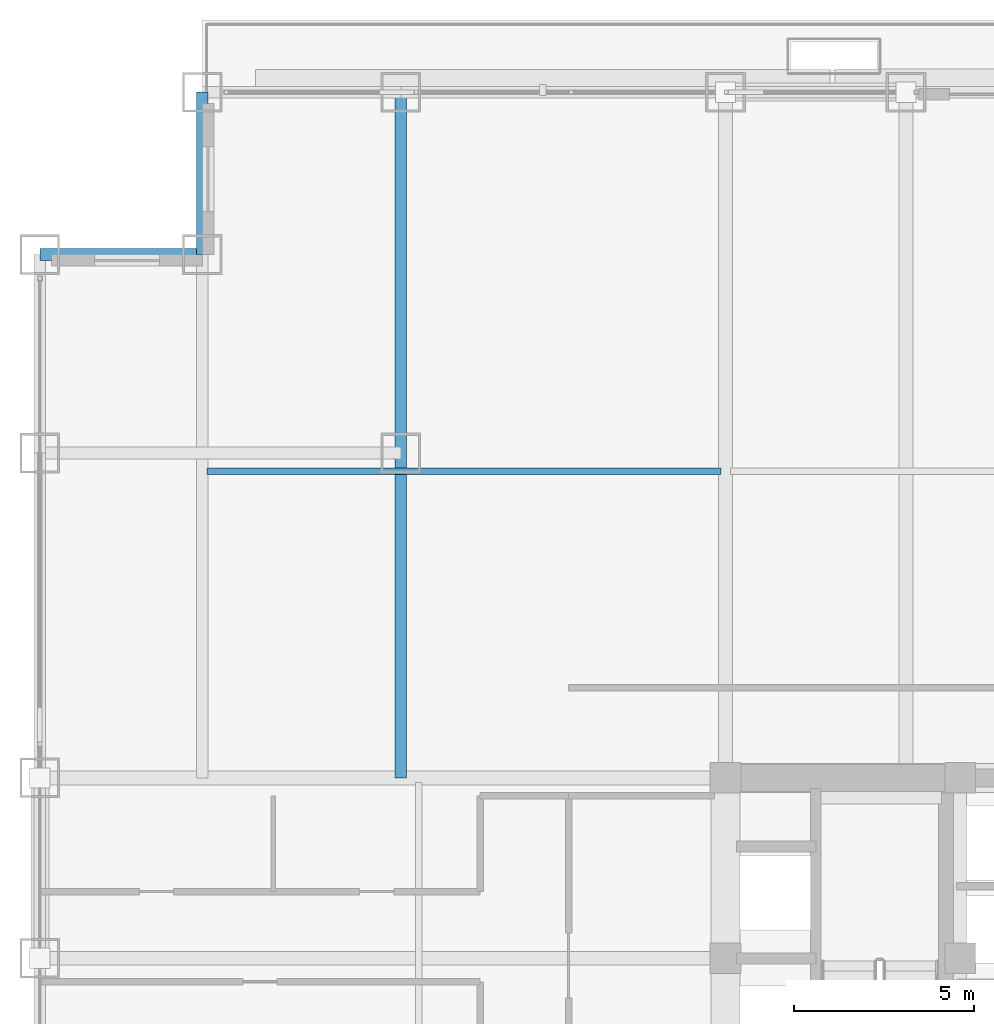
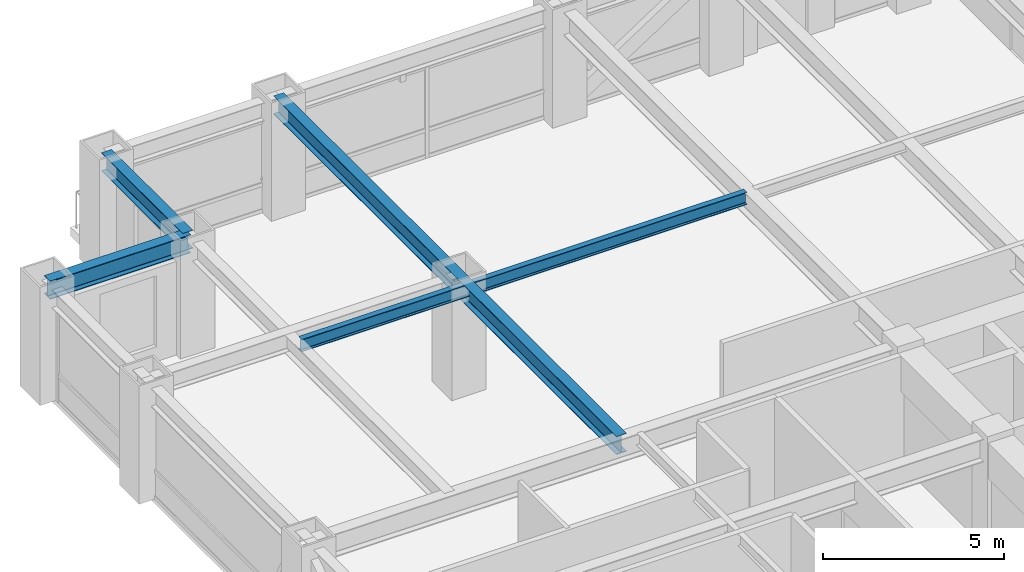
# One storey, part 16 of 35: 4 beams.
"""IFC4 building model written with IfcOpenShell, lengths in metres."""

from ifc_helpers import new_model, si_unit, direction, frame, origin, origin_2d, place, context, subcontext, project, spatial, i_section, extrude, source, transform, mapped, material, material_profile, profile_set, type_object, element, save


model = new_model("IFC4")

# Units and contexts
model_context = context("Model", 3, precision=1e-05, world=origin(), true_north=direction((0.0, 1.0)))
body_context = subcontext(model_context, "Body", "Model", "MODEL_VIEW")
ifc_project = project(units=[si_unit("LENGTHUNIT", "METRE"), si_unit("AREAUNIT", "SQUARE_METRE"), si_unit("VOLUMEUNIT", "CUBIC_METRE"), si_unit("PLANEANGLEUNIT", "RADIAN"), si_unit("MASSUNIT", "GRAM", prefix="KILO")], contexts=[model_context])

# Site, building, storey
site_placement = place(None, origin())
site = spatial("IfcSite", under=ifc_project, at=site_placement, CompositionType="ELEMENT")
building_placement = place(site_placement, origin())
building = spatial("IfcBuilding", under=site, at=building_placement, Name="Khorayat Bourse Tower", CompositionType="ELEMENT")
storey_placement = place(building_placement, frame((0.0, 0.0, 155.10009765625)))
storey = spatial("IfcBuildingStorey", under=building, at=storey_placement, Name="L35", CompositionType="ELEMENT", Elevation=155.10009765625)

# Beams
ifc_material = material(Name="Steel ASTM A992 Grade 50", Category="steel")
ifc_material_profile_1 = material_profile(ifc_material, i_section(OverallWidth=0.324951171875, OverallDepth=0.615966796875, WebThickness=0.013916015625, FlangeThickness=0.021484375, FilletRadius=0.01611328125, at=origin_2d()), Name="W610X174")
ifc_profile_set_1 = profile_set([ifc_material_profile_1], Name="Steel ASTM A992 Grade 50")
beam_type_1 = type_object("IfcBeamType", Name="BM-GIRD-610", PredefinedType="BEAM", material=ifc_profile_set_1)
shared_shape_1 = source(origin(), body_context, "Body", "SweptSolid", [
    extrude(i_section(OverallWidth=0.324951171875, OverallDepth=0.615966796875, WebThickness=0.013916015625, FlangeThickness=0.021484375, FilletRadius=0.01611328125, at=origin_2d()), origin(), (0.0, 0.0, 1.0), 19.0),
])
beam_1_placement = place(storey_placement, frame((-20.0, 11.0, 3.471923828125), z_axis=(0.0, 1.0, 0.0), x_axis=(-1.0, 0.0, 0.0)))
element("IfcBeam", 1, at=beam_1_placement, inside=storey, type_object=beam_type_1, Name="L35 BM-GIRD-610 BM-L35-CNRY-085", PredefinedType="BEAM", context=body_context, shape_type="MappedRepresentation", body=[
    mapped(shared_shape_1, transform((0.0, 0.0, 0.0), scale=1.0)),
])
ifc_material_profile_2 = material_profile(ifc_material, i_section(OverallWidth=0.180908203125, OverallDepth=0.4169921875, WebThickness=0.010986328125, FlangeThickness=0.018310546875, FilletRadius=0.011962890625, at=origin_2d()), Name="W410X85")
ifc_profile_set_2 = profile_set([ifc_material_profile_2], Name="Steel ASTM A992 Grade 50")
beam_type_2 = type_object("IfcBeamType", Name="BM-JOIST-410", PredefinedType="JOIST", material=ifc_profile_set_2)
shared_shape_2 = source(origin(), body_context, "Body", "SweptSolid", [
    extrude(i_section(OverallWidth=0.180908203125, OverallDepth=0.4169921875, WebThickness=0.010986328125, FlangeThickness=0.018310546875, FilletRadius=0.011962890625, at=origin_2d()), origin(), (0.0, 0.0, 1.0), 14.240234375),
])
beam_2_placement = place(storey_placement, frame((-25.3701171875, 19.5, 3.5712890625), z_axis=(1.0, 0.0, 0.0), x_axis=(0.0, 1.0, 0.0)))
element("IfcBeam", 2, at=beam_2_placement, inside=storey, type_object=beam_type_2, Name="L35 BM-JOIST-410 BM-L35-JSTX-099", PredefinedType="JOIST", context=body_context, shape_type="MappedRepresentation", body=[
    mapped(shared_shape_2, transform((0.0, 0.0, 0.0), scale=1.0)),
])
ifc_material_profile_3 = material_profile(ifc_material, i_section(OverallWidth=0.324951171875, OverallDepth=0.615966796875, WebThickness=0.013916015625, FlangeThickness=0.021484375, FilletRadius=0.01611328125, at=origin_2d()), Name="W610X174")
ifc_profile_set_3 = profile_set([ifc_material_profile_3], Name="Steel ASTM A992 Grade 50")
beam_type_3 = type_object("IfcBeamType", Name="BM-SPAN-610", PredefinedType="SPANDREL", material=ifc_profile_set_3)
shared_shape_3 = source(origin(), body_context, "Body", "SweptSolid", [
    extrude(i_section(OverallWidth=0.324951171875, OverallDepth=0.615966796875, WebThickness=0.013916015625, FlangeThickness=0.021484375, FilletRadius=0.01611328125, at=origin_2d()), origin(), (0.0, 0.0, 1.0), 4.5),
])
for number, where, z_axis, x_axis, name in (
    (3, (-25.5, 25.5, 3.471923828125), (0.0, 1.0, 0.0), (-1.0, 0.0, 0.0), "L35 BM-SPAN-610 BM-L35-SPN-052"),
    (4, (-30.0, 25.5, 3.471923828125), (1.0, 0.0, 0.0), (0.0, 1.0, 0.0), "L35 BM-SPAN-610 BM-L35-SPN-053"),
):
    element("IfcBeam", number, at=place(storey_placement, frame(where, z_axis=z_axis, x_axis=x_axis)), inside=storey, type_object=beam_type_3, Name=name, PredefinedType="SPANDREL", context=body_context, shape_type="MappedRepresentation", body=[
        mapped(shared_shape_3, transform((0.0, 0.0, 0.0), scale=1.0)),
    ])

save(model, "model.ifc")
